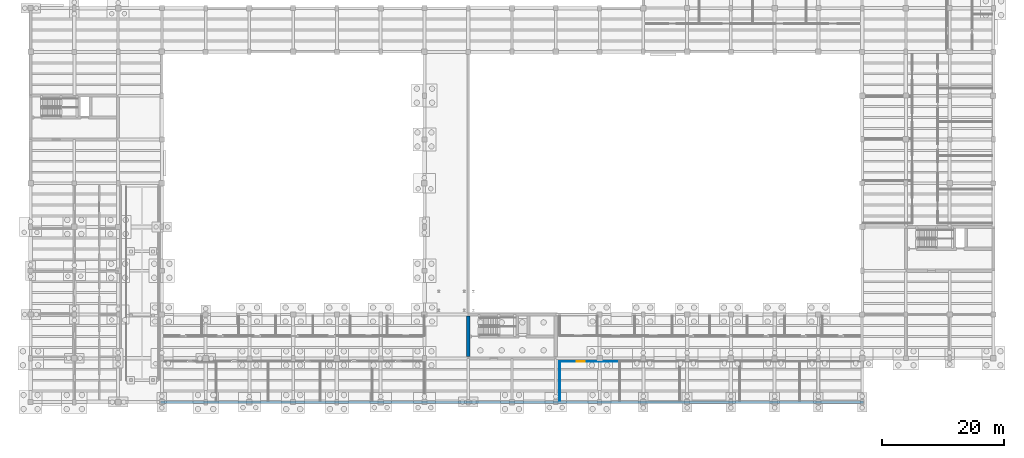
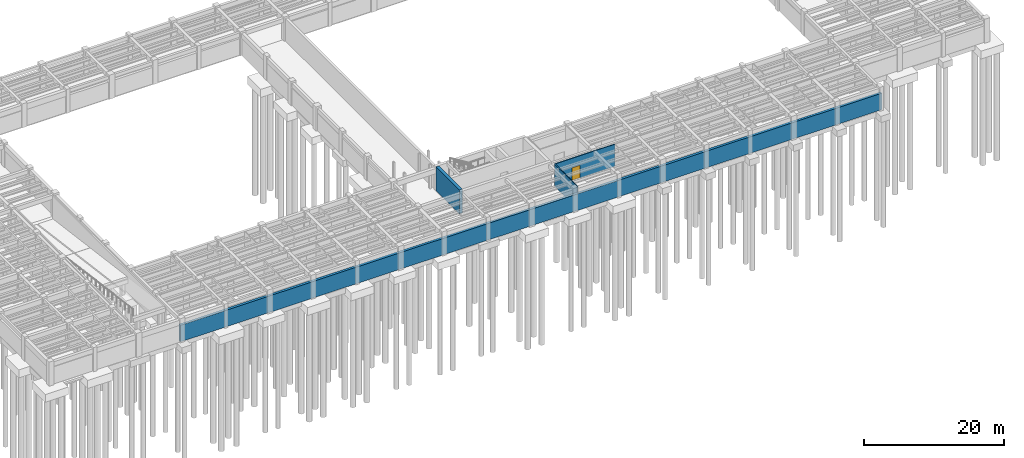
# One storey, part 18 of 33: 4 walls, 1 door, 1 opening.
"""IFC4 building model written with IfcOpenShell, lengths in metres."""

from ifc_helpers import new_model, si_unit, direction, frame, frame_2d, origin, place, context, subcontext, project, spatial, rectangle, extrude, material, layer, layer_set, type_object, element, fill, save


model = new_model("IFC4")

# Units and contexts
model_context = context("Model", 3, precision=1e-05, world=origin(), true_north=direction((0.0, 1.0)))
body_context = subcontext(model_context, "Body", "Model", "MODEL_VIEW")
ifc_project = project(units=[si_unit("LENGTHUNIT", "METRE"), si_unit("AREAUNIT", "SQUARE_METRE"), si_unit("VOLUMEUNIT", "CUBIC_METRE"), si_unit("PLANEANGLEUNIT", "RADIAN"), si_unit("MASSUNIT", "GRAM", prefix="KILO")], contexts=[model_context])

# Site, building, storey
site_placement = place(None, origin())
site = spatial("IfcSite", under=ifc_project, at=site_placement, CompositionType="ELEMENT")
building_placement = place(site_placement, origin())
building = spatial("IfcBuilding", under=site, at=building_placement, Name="Mithqara Police Headquarters", CompositionType="ELEMENT")
storey_placement = place(building_placement, frame((0.0, 0.0, -4.199951171875)))
storey = spatial("IfcBuildingStorey", under=building, at=storey_placement, Name="B1", CompositionType="ELEMENT", Elevation=-4.199951171875)

# Wall
ifc_material_1 = material(Name="Gypsum acoustic stud partition", Category="gypsum")
ifc_layer_1 = layer(ifc_material_1, 0.139892578125, Name="Gypsum acoustic stud partition")
ifc_layer_set_1 = layer_set([ifc_layer_1], Name="Gypsum acoustic stud partition")
wall_type_1 = type_object("IfcWallType", Name="PART WALL 140", PredefinedType="PARTITIONING", material=ifc_layer_set_1)
wall_1_placement = place(storey_placement, frame((94.85009765625, 21.179931640625, 0.0), z_axis=(0.0, 0.0, 1.0), x_axis=(0.0, 1.0, 0.0)))
element("IfcWall", 1, at=wall_1_placement, inside=storey, type_object=wall_type_1, Name="B1 Partition End Closure E0", PredefinedType="PARTITIONING", context=body_context, shape_type="SweptSolid", body=[
    extrude(rectangle(XDim=6.5, YDim=0.139892578125, at=frame_2d((3.25, 0.0))), origin(), (0.0, 0.0, 1.0), 3.8798828125),
])

# Wall, opening, door
wall_2_placement = place(storey_placement, frame((94.85009765625, 27.679931640625, 0.0), z_axis=(0.0, 0.0, 1.0), x_axis=(1.0, 0.0, 0.0)))
wall_2 = element("IfcWall", 2, at=wall_2_placement, inside=storey, type_object=wall_type_1, Name="B1 Corridor Wall Patrol Car Park", PredefinedType="PARTITIONING", context=body_context, shape_type="SweptSolid", body=[
    extrude(rectangle(XDim=9.865966796875, YDim=0.139892578125, at=frame_2d((4.93310546875, 0.0))), origin(), (0.0, 0.0, 1.0), 3.8798828125),
])
opening_placement = place(wall_2_placement, frame((2.773193359375, 0.0, 0.0)))
opening = element("IfcOpeningElement", 3, at=opening_placement, cuts=wall_2, Name="Opening D-17", PredefinedType="OPENING", context=body_context, shape_type="SweptSolid", body=[
    extrude(rectangle(XDim=1.360107421875, YDim=2.219970703125, at=frame_2d((0.68017578125, 1.10986328125))), frame((0.0, 0.080078125, 0.0), z_axis=(0.0, -1.0, 0.0), x_axis=(1.0, 0.0, 0.0)), (0.0, 0.0, 1.0), 0.159912109375),
])
ifc_material_2 = material(Name="Bronze anodised aluminium 6063-T6", Category="aluminium")
door_type = type_object("IfcDoorType", Name="INT DOOR 1360X2220", OperationType="NOTDEFINED", PredefinedType="DOOR", material=ifc_material_2)
door_placement = place(opening_placement, frame((1.360107421875, 0.0, 0.0), z_axis=(0.0, 0.0, 1.0), x_axis=(-1.0, 0.0, 0.0)))
door = element("IfcDoor", 4, at=door_placement, inside=storey, type_object=door_type, Name="Patrol Car Park Entry Door", OperationType="SINGLE_SWING_RIGHT", OverallHeight=2.219970703125, OverallWidth=1.360107421875, PredefinedType="DOOR", context=body_context, shape_type="SweptSolid", body=[
    extrude(rectangle(XDim=1.360107421875, YDim=2.219970703125, at=frame_2d((0.68017578125, 1.10986328125))), frame((0.0, 0.02490234375, 0.0), z_axis=(0.0, -1.0, 0.0), x_axis=(1.0, 0.0, 0.0)), (0.0, 0.0, 1.0), 0.050048828125),
])
fill(opening, door)

# Walls
ifc_material_3 = material(Name="Concrete C40/50", Category="concrete")
ifc_layer_2 = layer(ifc_material_3, 0.419921875, Name="Concrete C40/50")
ifc_layer_set_2 = layer_set([ifc_layer_2], Name="Concrete C40/50")
wall_type_2 = type_object("IfcWallType", Name="RETAINING WALL 420", PredefinedType="USERDEFINED", material=ifc_layer_set_2)
wall_3_placement = place(storey_placement, frame((144.81005859375, 21.0, 0.0), z_axis=(0.0, 0.0, 1.0), x_axis=(-1.0, 0.0, 0.0)))
element("IfcWall", 5, at=wall_3_placement, inside=storey, type_object=wall_type_2, Name="B1 Perimeter Retaining Wall 16", ObjectType="RETAININGWALL", PredefinedType="USERDEFINED", context=body_context, shape_type="SweptSolid", body=[
    extrude(rectangle(XDim=115.6201171875, YDim=0.419921875, at=frame_2d((57.81005859375, 0.0))), origin(), (0.0, 0.0, 1.0), 2.8798828125),
])
ifc_material_4 = material(Name="Concrete C50/60", Category="concrete")
ifc_layer_3 = layer(ifc_material_4, 0.5, Name="Concrete C50/60")
ifc_layer_set_3 = layer_set([ifc_layer_3], Name="Concrete C50/60")
wall_type_3 = type_object("IfcWallType", Name="SHEAR WALL 500", PredefinedType="SHEAR", material=ifc_layer_set_3)
wall_4_placement = place(storey_placement, frame((79.800048828125, 28.4599609375, 0.0), z_axis=(0.0, 0.0, 1.0), x_axis=(0.0, 1.0, 0.0)))
element("IfcWall", 6, at=wall_4_placement, inside=storey, type_object=wall_type_3, Name="Core C5 Courtyard South Shear Wall W", PredefinedType="SHEAR", context=body_context, shape_type="SweptSolid", body=[
    extrude(rectangle(XDim=6.679931640625, YDim=0.5, at=frame_2d((3.33984375, 0.0))), origin(), (0.0, 0.0, 1.0), 4.199951171875),
])

save(model, "model.ifc")
